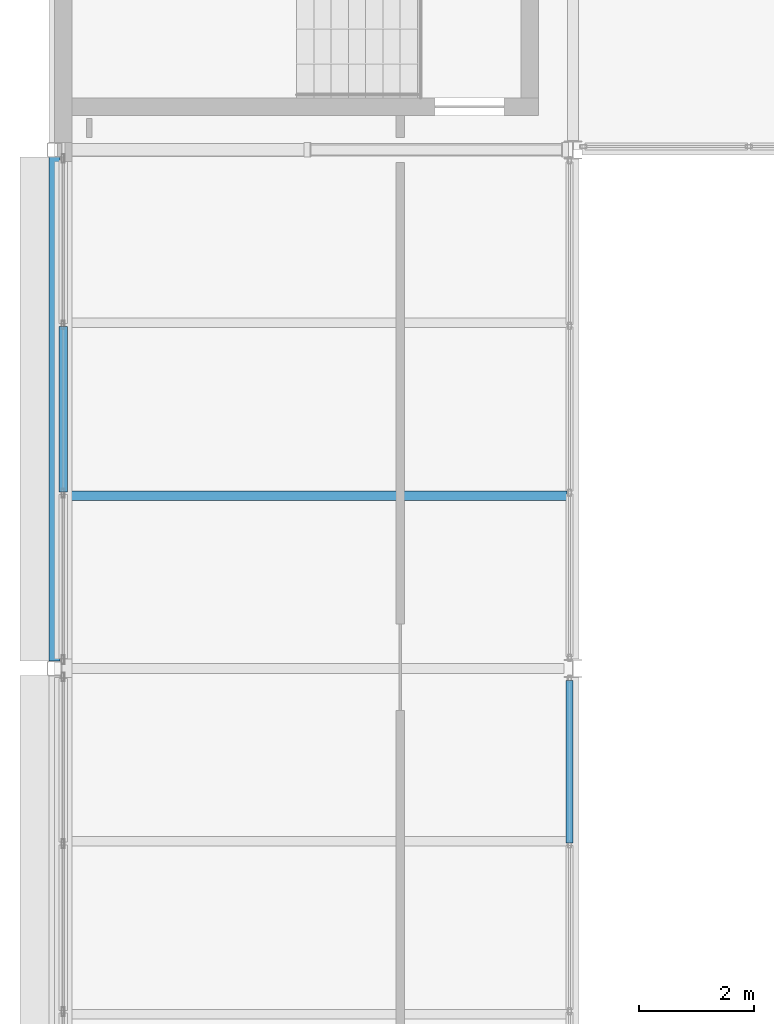
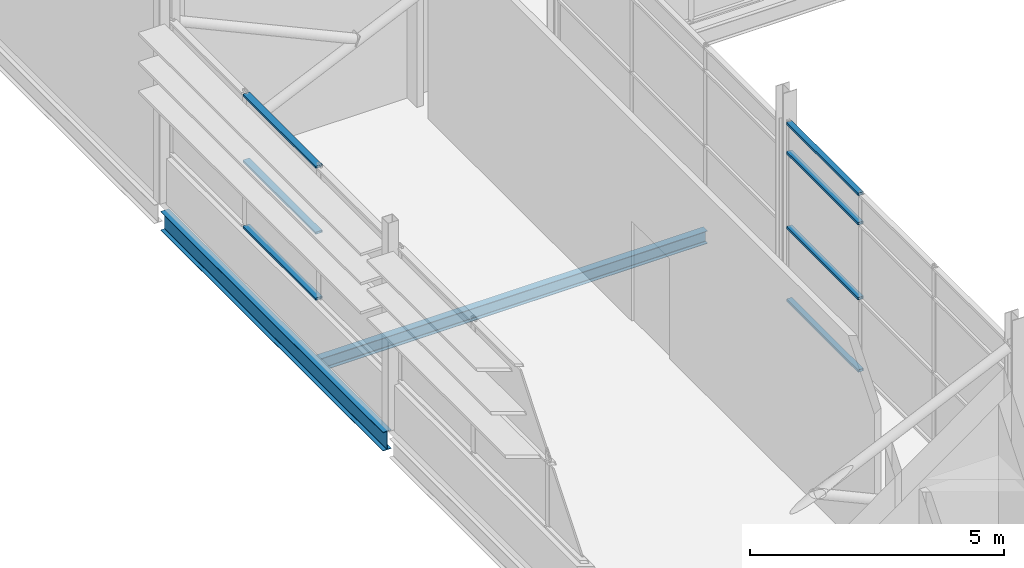
# One storey, part 18 of 61: 7 members, 2 beams, 2 elements without a shape of their own.
"""IFC4 building model written with IfcOpenShell, lengths in metres."""

from ifc_helpers import new_model, si_unit, direction, frame, origin, origin_2d, place, context, subcontext, project, spatial, hollow_rectangle, i_section, extrude, material, layer, layer_set, material_profile, profile_set, type_object, element, aggregate, save


model = new_model("IFC4")

# Units and contexts
model_context = context("Model", 3, precision=1e-05, world=origin(), true_north=direction((0.0, 1.0)))
body_context = subcontext(model_context, "Body", "Model", "MODEL_VIEW")
ifc_project = project(units=[si_unit("LENGTHUNIT", "METRE"), si_unit("AREAUNIT", "SQUARE_METRE"), si_unit("VOLUMEUNIT", "CUBIC_METRE"), si_unit("PLANEANGLEUNIT", "RADIAN"), si_unit("MASSUNIT", "GRAM", prefix="KILO")], contexts=[model_context])

# Site, building, storey
site_placement = place(None, origin())
site = spatial("IfcSite", under=ifc_project, at=site_placement, CompositionType="ELEMENT")
building_placement = place(site_placement, origin())
building = spatial("IfcBuilding", under=site, at=building_placement, Name="Shorebreak Coast Museum", CompositionType="ELEMENT")
storey_placement = place(building_placement, frame((0.0, 0.0, 26.0)))
storey = spatial("IfcBuildingStorey", under=building, at=storey_placement, Name="L04", CompositionType="ELEMENT", Elevation=26.0)

# Beams
ifc_material_1 = material(Name="Steel Grade 300", Category="steel")
ifc_material_profile_1 = material_profile(ifc_material_1, i_section(OverallWidth=0.18994140625, OverallDepth=0.453857421875, WebThickness=0.008544921875, FlangeThickness=0.0126953125, FilletRadius=0.011474609375, at=origin_2d()), Name="460UB67.1")
ifc_profile_set_1 = profile_set([ifc_material_profile_1], Name="Steel Grade 300")
beam_type_1 = type_object("IfcBeamType", Name="Floor girder north-south 460UB67.1", PredefinedType="BEAM", material=ifc_profile_set_1)
beam_1_placement = place(storey_placement, frame((54.0, 72.125, -0.40185546875), z_axis=(0.0, 1.0, 0.0), x_axis=(-1.0, 0.0, 0.0)))
element("IfcBeam", 1, at=beam_1_placement, inside=storey, type_object=beam_type_1, Name="Floor girder north-south L04 7J", PredefinedType="BEAM", context=body_context, shape_type="SweptSolid", body=[
    extrude(i_section(OverallWidth=0.18994140625, OverallDepth=0.453857421875, WebThickness=0.008544921875, FlangeThickness=0.0126953125, FilletRadius=0.011474609375, at=origin_2d()), origin(), (0.0, 0.0, 1.0), 8.75),
])
ifc_material_2 = material(Name="Steel Grade 300", Category="steel")
ifc_material_profile_2 = material_profile(ifc_material_2, i_section(OverallWidth=0.1650390625, OverallDepth=0.303955078125, WebThickness=0.006103515625, FlangeThickness=0.01025390625, FilletRadius=0.011474609375, at=origin_2d()), Name="310UB40.4")
ifc_profile_set_2 = profile_set([ifc_material_profile_2], Name="Steel Grade 300")
beam_type_2 = type_object("IfcBeamType", Name="Floor joist 310UB40.4", PredefinedType="JOIST", material=ifc_profile_set_2)
beam_2_placement = place(storey_placement, frame((54.094970703125, 75.0, -0.326904296875), z_axis=(1.0, 0.0, 0.0), x_axis=(0.0, 1.0, 0.0)))
element("IfcBeam", 2, at=beam_2_placement, inside=storey, type_object=beam_type_2, Name="Floor joist L04 bay 7J at 3000 mm", PredefinedType="JOIST", context=body_context, shape_type="SweptSolid", body=[
    extrude(i_section(OverallWidth=0.1650390625, OverallDepth=0.303955078125, WebThickness=0.006103515625, FlangeThickness=0.01025390625, FilletRadius=0.011474609375, at=origin_2d()), origin(), (0.0, 0.0, 1.0), 8.800537109375),
])

# Curtain wall, members
ifc_material_3 = material(Name="Aluminium", Category="aluminium")
ifc_layer_1 = layer(ifc_material_3, 0.1201171875)
ifc_layer_set_1 = layer_set([ifc_layer_1], Name="Aluminium")
curtain_wall_type_1 = type_object("IfcCurtainWallType", Name="Atrium fire screen", PredefinedType="NOTDEFINED", material=ifc_layer_set_1)
curtain_wall_1_placement = place(storey_placement, origin())
curtain_wall_1 = element("IfcCurtainWall", 3, at=curtain_wall_1_placement, inside=storey, type_object=curtain_wall_type_1, Name="Atrium screen L04 W 59", PredefinedType="NOTDEFINED")
ifc_material_4 = material(Name="Aluminium", Category="aluminium")
ifc_material_profile_3 = material_profile(ifc_material_4, hollow_rectangle(XDim=0.1201171875, YDim=0.06005859375, WallThickness=0.00341796875, at=origin_2d()), Name="AL 60x120 RHS")
ifc_profile_set_3 = profile_set([ifc_material_profile_3], Name="Aluminium")
member_type_1 = type_object("IfcMemberType", Name="Screen transom 120 x 50", PredefinedType="USERDEFINED", material=ifc_profile_set_3)
member_1_placement = place(storey_placement, frame((62.93994140625, 68.97265625, 0.06005859375), z_axis=(0.0, 1.0, 0.0), x_axis=(-1.0, 0.0, 0.0)))
member_1 = element("IfcMember", 4, at=member_1_placement, type_object=member_type_1, Name="CW6 transom 3.1", ObjectType="TRANSOM", PredefinedType="USERDEFINED", context=body_context, shape_type="SweptSolid", body=[
    extrude(hollow_rectangle(XDim=0.1201171875, YDim=0.06005859375, WallThickness=0.00341796875, at=origin_2d()), origin(), (0.0, 0.0, 1.0), 2.820068359375),
])
member_2_placement = place(storey_placement, frame((62.93994140625, 68.97265625, 1.800048828125), z_axis=(0.0, 1.0, 0.0), x_axis=(-1.0, 0.0, 0.0)))
member_2 = element("IfcMember", 5, at=member_2_placement, type_object=member_type_1, Name="CW6 transom 3.2", ObjectType="TRANSOM", PredefinedType="USERDEFINED", context=body_context, shape_type="SweptSolid", body=[
    extrude(hollow_rectangle(XDim=0.1201171875, YDim=0.06005859375, WallThickness=0.00341796875, at=origin_2d()), origin(), (0.0, 0.0, 1.0), 2.820068359375),
])
member_3_placement = place(storey_placement, frame((62.93994140625, 68.97265625, 3.60009765625), z_axis=(0.0, 1.0, 0.0), x_axis=(-1.0, 0.0, 0.0)))
member_3 = element("IfcMember", 6, at=member_3_placement, type_object=member_type_1, Name="CW6 transom 3.3", ObjectType="TRANSOM", PredefinedType="USERDEFINED", context=body_context, shape_type="SweptSolid", body=[
    extrude(hollow_rectangle(XDim=0.1201171875, YDim=0.06005859375, WallThickness=0.00341796875, at=origin_2d()), origin(), (0.0, 0.0, 1.0), 2.820068359375),
])
member_4_placement = place(storey_placement, frame((62.93994140625, 68.97265625, 4.3046875), z_axis=(0.0, 1.0, 0.0), x_axis=(-1.0, 0.0, 0.0)))
member_4 = element("IfcMember", 7, at=member_4_placement, type_object=member_type_1, Name="CW6 transom 3.4", ObjectType="TRANSOM", PredefinedType="USERDEFINED", context=body_context, shape_type="SweptSolid", body=[
    extrude(hollow_rectangle(XDim=0.1201171875, YDim=0.06005859375, WallThickness=0.00341796875, at=origin_2d()), origin(), (0.0, 0.0, 1.0), 2.820068359375),
])
aggregate(curtain_wall_1, [member_1, member_2, member_3, member_4])

ifc_material_5 = material(Name="Aluminium", Category="aluminium")
ifc_layer_2 = layer(ifc_material_5, 0.14990234375)
ifc_layer_set_2 = layer_set([ifc_layer_2], Name="Aluminium")
curtain_wall_type_2 = type_object("IfcCurtainWallType", Name="Storefront curtain wall", PredefinedType="NOTDEFINED", material=ifc_layer_set_2)
curtain_wall_2_placement = place(storey_placement, origin())
curtain_wall_2 = element("IfcCurtainWall", 8, at=curtain_wall_2_placement, inside=storey, type_object=curtain_wall_type_2, Name="Atrium Hall glazing L04 W 10", PredefinedType="NOTDEFINED")
ifc_material_6 = material(Name="Aluminium", Category="aluminium")
ifc_material_profile_4 = material_profile(ifc_material_6, hollow_rectangle(XDim=0.14990234375, YDim=0.050048828125, WallThickness=0.00390625, at=origin_2d()), Name="AL 50x150 RHS")
ifc_profile_set_4 = profile_set([ifc_material_profile_4], Name="Aluminium")
member_type_2 = type_object("IfcMemberType", Name="Storefront transom 150 x 50", PredefinedType="USERDEFINED", material=ifc_profile_set_4)
member_5_placement = place(storey_placement, frame((54.14990234375, 75.066650390625, 1.175048828125), z_axis=(0.0, 1.0, 0.0), x_axis=(-1.0, 0.0, 0.0)))
member_5 = element("IfcMember", 9, at=member_5_placement, type_object=member_type_2, Name="CW5 transom 2.1", ObjectType="TRANSOM", PredefinedType="USERDEFINED", context=body_context, shape_type="SweptSolid", body=[
    extrude(hollow_rectangle(XDim=0.14990234375, YDim=0.050048828125, WallThickness=0.00390625, at=origin_2d()), origin(), (0.0, 0.0, 1.0), 2.86669921875),
])
member_6_placement = place(storey_placement, frame((54.14990234375, 75.066650390625, 2.75927734375), z_axis=(0.0, 1.0, 0.0), x_axis=(-1.0, 0.0, 0.0)))
member_6 = element("IfcMember", 10, at=member_6_placement, type_object=member_type_2, Name="CW5 transom 2.2", ObjectType="TRANSOM", PredefinedType="USERDEFINED", context=body_context, shape_type="SweptSolid", body=[
    extrude(hollow_rectangle(XDim=0.14990234375, YDim=0.050048828125, WallThickness=0.00390625, at=origin_2d()), origin(), (0.0, 0.0, 1.0), 2.86669921875),
])
member_7_placement = place(storey_placement, frame((54.14990234375, 75.066650390625, 4.343505859375), z_axis=(0.0, 1.0, 0.0), x_axis=(-1.0, 0.0, 0.0)))
member_7 = element("IfcMember", 11, at=member_7_placement, type_object=member_type_2, Name="CW5 transom 2.3", ObjectType="TRANSOM", PredefinedType="USERDEFINED", context=body_context, shape_type="SweptSolid", body=[
    extrude(hollow_rectangle(XDim=0.14990234375, YDim=0.050048828125, WallThickness=0.00390625, at=origin_2d()), origin(), (0.0, 0.0, 1.0), 2.86669921875),
])
aggregate(curtain_wall_2, [member_5, member_6, member_7])

save(model, "model.ifc")
